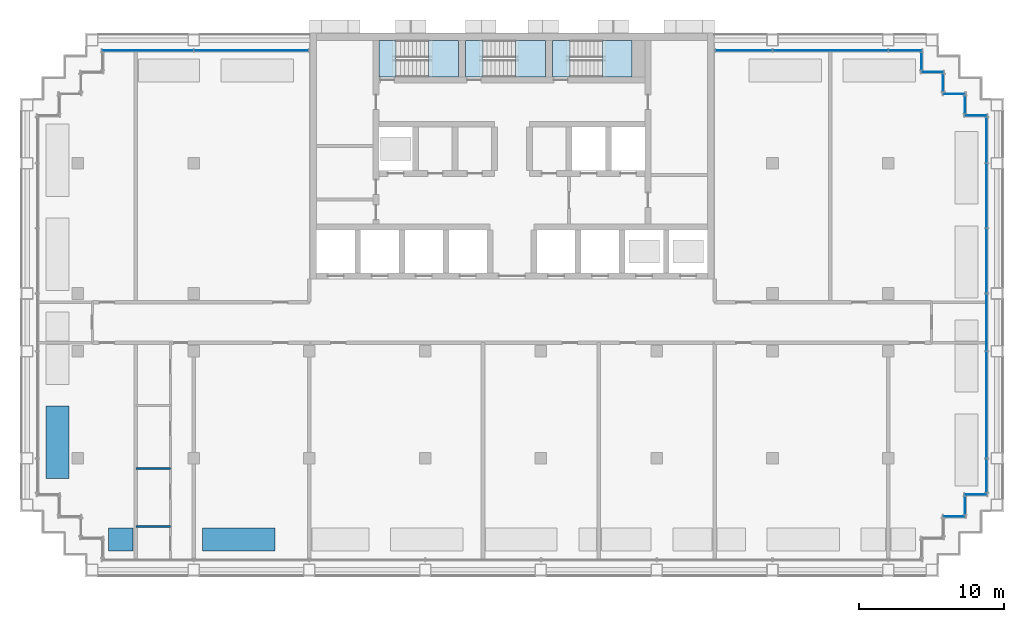
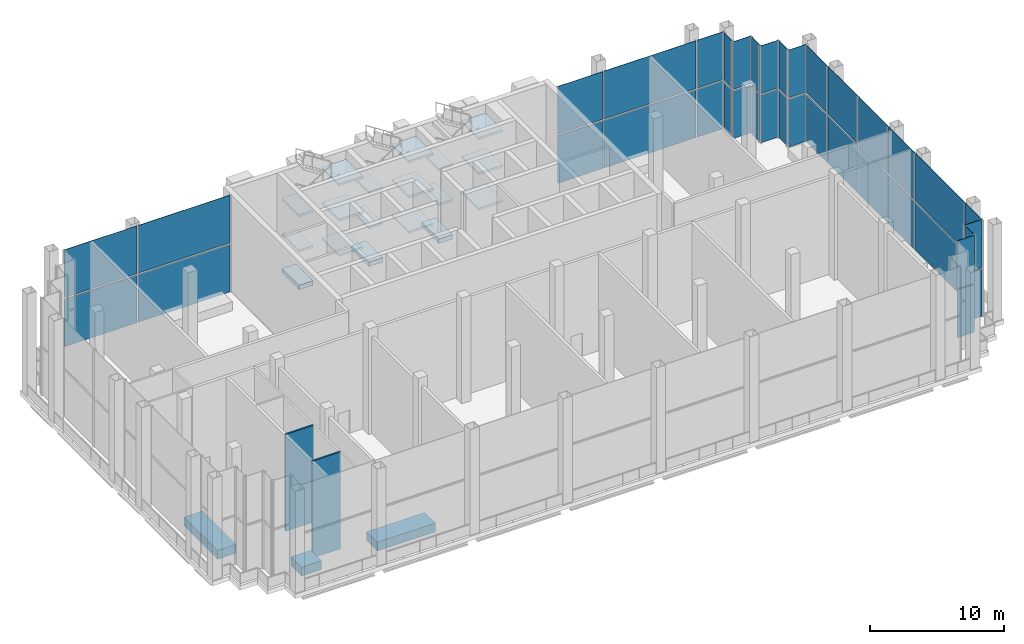
# One storey, part 7 of 16: 40 plates, 18 slabs, 5 walls, 15 elements without a shape of their own.
"""IFC4 building model written with IfcOpenShell, lengths in metres."""

from ifc_helpers import new_model, si_unit, direction, frame, frame_2d, origin, origin_2d, place, context, subcontext, project, spatial, polyline, rectangle, outline, extrude, material, layer, layer_set, type_object, element, aggregate, save


model = new_model("IFC4")

# Units and contexts
model_context = context("Model", 3, precision=1e-05, world=origin(), true_north=direction((0.0, 1.0)))
body_context = subcontext(model_context, "Body", "Model", "MODEL_VIEW")
ifc_project = project(units=[si_unit("LENGTHUNIT", "METRE"), si_unit("AREAUNIT", "SQUARE_METRE"), si_unit("VOLUMEUNIT", "CUBIC_METRE"), si_unit("PLANEANGLEUNIT", "RADIAN"), si_unit("MASSUNIT", "GRAM", prefix="KILO")], contexts=[model_context])

# Site, building, storey
site_placement = place(None, origin())
site = spatial("IfcSite", under=ifc_project, at=site_placement, CompositionType="ELEMENT")
building_placement = place(site_placement, origin())
building = spatial("IfcBuilding", under=site, at=building_placement, Name="Vidyagriha Tower", CompositionType="ELEMENT")
storey_placement = place(building_placement, frame((0.0, 0.0, 151.800048828125)))
storey = spatial("IfcBuildingStorey", under=building, at=storey_placement, Name="L40", CompositionType="ELEMENT", Elevation=151.800048828125)

# Slabs
ifc_material_1 = material(Name="Concrete C40/50", Category="concrete")
ifc_layer_1 = layer(ifc_material_1, 0.39990234375)
ifc_layer_set_1 = layer_set([ifc_layer_1], Name="Concrete C40/50")
slab_type_1 = type_object("IfcSlabType", Name="Exit stair floor landing 400 mm", PredefinedType="LANDING", material=ifc_layer_set_1)
slab_1_placement = place(storey_placement, frame((0.0, 0.0, -0.400146484375)))
element("IfcSlab", 1, at=slab_1_placement, inside=storey, type_object=slab_type_1, Name="ST1 floor landing L40", PredefinedType="LANDING", context=body_context, shape_type="SweptSolid", body=[
    extrude(outline(polyline([(-9.199951171875, 16.949951171875), (-8.0, 16.949951171875), (-8.0, 19.5), (-9.199951171875, 19.5), (-9.199951171875, 16.949951171875)])), origin(), (0.0, 0.0, 1.0), 0.400146484375),
])
slab_2_placement = place(storey_placement, frame((0.0, 0.0, -0.400146484375)))
element("IfcSlab", 2, at=slab_2_placement, inside=storey, type_object=slab_type_1, Name="ST2 floor landing L40", PredefinedType="LANDING", context=body_context, shape_type="SweptSolid", body=[
    extrude(outline(polyline([(-3.199951171875, 16.949951171875), (-2.0, 16.949951171875), (-2.0, 19.5), (-3.199951171875, 19.5), (-3.199951171875, 16.949951171875)])), origin(), (0.0, 0.0, 1.0), 0.400146484375),
])
slab_3_placement = place(storey_placement, frame((0.0, 0.0, -0.400146484375)))
element("IfcSlab", 3, at=slab_3_placement, inside=storey, type_object=slab_type_1, Name="ST3 floor landing L40", PredefinedType="LANDING", context=body_context, shape_type="SweptSolid", body=[
    extrude(outline(polyline([(2.800048828125, 16.949951171875), (4.0, 16.949951171875), (4.0, 19.5), (2.800048828125, 19.5), (2.800048828125, 16.949951171875)])), origin(), (0.0, 0.0, 1.0), 0.400146484375),
])

# Stair, slabs
ifc_material_2 = material(Name="Concrete C40/50", Category="concrete")
stair_type = type_object("IfcStairType", Name="Exit stair, half-turn, precast flights", PredefinedType="HALF_TURN_STAIR", material=ifc_material_2)
stair_1_placement = place(storey_placement, origin())
stair_1 = element("IfcStair", 4, at=stair_1_placement, inside=storey, type_object=stair_type, Name="L40 Exit Stair ST1", PredefinedType="HALF_TURN_STAIR")
ifc_material_3 = material(Name="Concrete C40/50", Category="concrete")
ifc_layer_2 = layer(ifc_material_3, 0.199951171875)
ifc_layer_set_2 = layer_set([ifc_layer_2], Name="Concrete C40/50")
slab_type_2 = type_object("IfcSlabType", Name="Exit stair landing 200 mm", PredefinedType="LANDING", material=ifc_layer_set_2)
slab_4_placement = place(storey_placement, frame((0.0, 0.0, 1.39990234375)))
slab_4 = element("IfcSlab", 5, at=slab_4_placement, type_object=slab_type_2, Name="ST1 landing 1", PredefinedType="LANDING", context=body_context, shape_type="SweptSolid", body=[
    extrude(outline(polyline([(-5.760009765625, 16.949951171875), (-3.699951171875, 16.949951171875), (-3.699951171875, 19.5), (-5.760009765625, 19.5), (-5.760009765625, 16.949951171875)])), origin(), (0.0, 0.0, 1.0), 0.199951171875),
])
slab_5_placement = place(storey_placement, frame((0.0, 0.0, 3.0)))
slab_5 = element("IfcSlab", 6, at=slab_5_placement, type_object=slab_type_2, Name="ST1 landing 2", PredefinedType="LANDING", context=body_context, shape_type="SweptSolid", body=[
    extrude(outline(polyline([(-9.199951171875, 16.949951171875), (-8.0, 16.949951171875), (-8.0, 19.5), (-9.199951171875, 19.5), (-9.199951171875, 16.949951171875)])), origin(), (0.0, 0.0, 1.0), 0.199951171875),
])
slab_6_placement = place(storey_placement, frame((0.0, 0.0, 4.599853515625)))
slab_6 = element("IfcSlab", 7, at=slab_6_placement, type_object=slab_type_2, Name="ST1 landing 3", PredefinedType="LANDING", context=body_context, shape_type="SweptSolid", body=[
    extrude(outline(polyline([(-5.760009765625, 16.949951171875), (-3.699951171875, 16.949951171875), (-3.699951171875, 19.5), (-5.760009765625, 19.5), (-5.760009765625, 16.949951171875)])), origin(), (0.0, 0.0, 1.0), 0.2001953125),
])
slab_7_placement = place(storey_placement, frame((0.0, 0.0, 6.199951171875)))
slab_7 = element("IfcSlab", 8, at=slab_7_placement, type_object=slab_type_2, Name="ST1 landing 4", PredefinedType="LANDING", context=body_context, shape_type="SweptSolid", body=[
    extrude(outline(polyline([(-9.199951171875, 16.949951171875), (-8.0, 16.949951171875), (-8.0, 19.5), (-9.199951171875, 19.5), (-9.199951171875, 16.949951171875)])), origin(), (0.0, 0.0, 1.0), 0.199951171875),
])
slab_8_placement = place(storey_placement, frame((0.0, 0.0, 7.800048828125)))
slab_8 = element("IfcSlab", 9, at=slab_8_placement, type_object=slab_type_2, Name="ST1 landing 5", PredefinedType="LANDING", context=body_context, shape_type="SweptSolid", body=[
    extrude(outline(polyline([(-5.760009765625, 16.949951171875), (-3.699951171875, 16.949951171875), (-3.699951171875, 19.5), (-5.760009765625, 19.5), (-5.760009765625, 16.949951171875)])), origin(), (0.0, 0.0, 1.0), 0.199951171875),
])
aggregate(stair_1, [slab_4, slab_5, slab_6, slab_7, slab_8])

stair_2_placement = place(storey_placement, origin())
stair_2 = element("IfcStair", 10, at=stair_2_placement, inside=storey, type_object=stair_type, Name="L40 Exit Stair ST2", PredefinedType="HALF_TURN_STAIR")
slab_9_placement = place(storey_placement, frame((0.0, 0.0, 1.39990234375)))
slab_9 = element("IfcSlab", 11, at=slab_9_placement, type_object=slab_type_2, Name="ST2 landing 1", PredefinedType="LANDING", context=body_context, shape_type="SweptSolid", body=[
    extrude(outline(polyline([(0.239990234375, 16.949951171875), (2.300048828125, 16.949951171875), (2.300048828125, 19.5), (0.239990234375, 19.5), (0.239990234375, 16.949951171875)])), origin(), (0.0, 0.0, 1.0), 0.199951171875),
])
slab_10_placement = place(storey_placement, frame((0.0, 0.0, 3.0)))
slab_10 = element("IfcSlab", 12, at=slab_10_placement, type_object=slab_type_2, Name="ST2 landing 2", PredefinedType="LANDING", context=body_context, shape_type="SweptSolid", body=[
    extrude(outline(polyline([(-3.199951171875, 16.949951171875), (-2.0, 16.949951171875), (-2.0, 19.5), (-3.199951171875, 19.5), (-3.199951171875, 16.949951171875)])), origin(), (0.0, 0.0, 1.0), 0.199951171875),
])
slab_11_placement = place(storey_placement, frame((0.0, 0.0, 4.599853515625)))
slab_11 = element("IfcSlab", 13, at=slab_11_placement, type_object=slab_type_2, Name="ST2 landing 3", PredefinedType="LANDING", context=body_context, shape_type="SweptSolid", body=[
    extrude(outline(polyline([(0.239990234375, 16.949951171875), (2.300048828125, 16.949951171875), (2.300048828125, 19.5), (0.239990234375, 19.5), (0.239990234375, 16.949951171875)])), origin(), (0.0, 0.0, 1.0), 0.2001953125),
])
slab_12_placement = place(storey_placement, frame((0.0, 0.0, 6.199951171875)))
slab_12 = element("IfcSlab", 14, at=slab_12_placement, type_object=slab_type_2, Name="ST2 landing 4", PredefinedType="LANDING", context=body_context, shape_type="SweptSolid", body=[
    extrude(outline(polyline([(-3.199951171875, 16.949951171875), (-2.0, 16.949951171875), (-2.0, 19.5), (-3.199951171875, 19.5), (-3.199951171875, 16.949951171875)])), origin(), (0.0, 0.0, 1.0), 0.199951171875),
])
slab_13_placement = place(storey_placement, frame((0.0, 0.0, 7.800048828125)))
slab_13 = element("IfcSlab", 15, at=slab_13_placement, type_object=slab_type_2, Name="ST2 landing 5", PredefinedType="LANDING", context=body_context, shape_type="SweptSolid", body=[
    extrude(outline(polyline([(0.239990234375, 16.949951171875), (2.300048828125, 16.949951171875), (2.300048828125, 19.5), (0.239990234375, 19.5), (0.239990234375, 16.949951171875)])), origin(), (0.0, 0.0, 1.0), 0.199951171875),
])
aggregate(stair_2, [slab_9, slab_10, slab_11, slab_12, slab_13])

stair_3_placement = place(storey_placement, origin())
stair_3 = element("IfcStair", 16, at=stair_3_placement, inside=storey, type_object=stair_type, Name="L40 Exit Stair ST3", PredefinedType="HALF_TURN_STAIR")
slab_14_placement = place(storey_placement, frame((0.0, 0.0, 1.39990234375)))
slab_14 = element("IfcSlab", 17, at=slab_14_placement, type_object=slab_type_2, Name="ST3 landing 1", PredefinedType="LANDING", context=body_context, shape_type="SweptSolid", body=[
    extrude(outline(polyline([(6.239990234375, 16.949951171875), (8.300048828125, 16.949951171875), (8.300048828125, 19.5), (6.239990234375, 19.5), (6.239990234375, 16.949951171875)])), origin(), (0.0, 0.0, 1.0), 0.199951171875),
])
slab_15_placement = place(storey_placement, frame((0.0, 0.0, 3.0)))
slab_15 = element("IfcSlab", 18, at=slab_15_placement, type_object=slab_type_2, Name="ST3 landing 2", PredefinedType="LANDING", context=body_context, shape_type="SweptSolid", body=[
    extrude(outline(polyline([(2.800048828125, 16.949951171875), (4.0, 16.949951171875), (4.0, 19.5), (2.800048828125, 19.5), (2.800048828125, 16.949951171875)])), origin(), (0.0, 0.0, 1.0), 0.199951171875),
])
slab_16_placement = place(storey_placement, frame((0.0, 0.0, 4.599853515625)))
slab_16 = element("IfcSlab", 19, at=slab_16_placement, type_object=slab_type_2, Name="ST3 landing 3", PredefinedType="LANDING", context=body_context, shape_type="SweptSolid", body=[
    extrude(outline(polyline([(6.239990234375, 16.949951171875), (8.300048828125, 16.949951171875), (8.300048828125, 19.5), (6.239990234375, 19.5), (6.239990234375, 16.949951171875)])), origin(), (0.0, 0.0, 1.0), 0.2001953125),
])
slab_17_placement = place(storey_placement, frame((0.0, 0.0, 6.199951171875)))
slab_17 = element("IfcSlab", 20, at=slab_17_placement, type_object=slab_type_2, Name="ST3 landing 4", PredefinedType="LANDING", context=body_context, shape_type="SweptSolid", body=[
    extrude(outline(polyline([(2.800048828125, 16.949951171875), (4.0, 16.949951171875), (4.0, 19.5), (2.800048828125, 19.5), (2.800048828125, 16.949951171875)])), origin(), (0.0, 0.0, 1.0), 0.199951171875),
])
slab_18_placement = place(storey_placement, frame((0.0, 0.0, 7.800048828125)))
slab_18 = element("IfcSlab", 21, at=slab_18_placement, type_object=slab_type_2, Name="ST3 landing 5", PredefinedType="LANDING", context=body_context, shape_type="SweptSolid", body=[
    extrude(outline(polyline([(6.239990234375, 16.949951171875), (8.300048828125, 16.949951171875), (8.300048828125, 19.5), (6.239990234375, 19.5), (6.239990234375, 16.949951171875)])), origin(), (0.0, 0.0, 1.0), 0.199951171875),
])
aggregate(stair_3, [slab_14, slab_15, slab_16, slab_17, slab_18])

# Curtain wall, plates
ifc_material_4 = material(Name="Aluminium and glass curtain wall", Category="aluminium")
curtain_wall_type = type_object("IfcCurtainWallType", Name="Winter garden glazing wall", PredefinedType="USERDEFINED", material=ifc_material_4)
curtain_wall_1_placement = place(storey_placement, origin())
curtain_wall_1 = element("IfcCurtainWall", 22, at=curtain_wall_1_placement, inside=storey, type_object=curtain_wall_type, Name="CW3 winter garden glazing", ObjectType="STICK GLAZING", PredefinedType="USERDEFINED")
ifc_material_5 = material(Name="Laminated green-tint solar-control glass", Category="glass")
ifc_layer_3 = layer(ifc_material_5, 0.031982421875)
ifc_layer_set_3 = layer_set([ifc_layer_3], Name="Laminated green-tint solar-control glass")
plate_type = type_object("IfcPlateType", Name="Green-tint winter garden glass panel", PredefinedType="CURTAIN_PANEL", material=ifc_layer_set_3)
plate_1_placement = place(storey_placement, frame((32.050048828125, 14.300048828125, 0.0), z_axis=(0.0, 0.0, 1.0), x_axis=(-1.0, 0.0, 0.0)))
plate_1 = element("IfcPlate", 23, at=plate_1_placement, type_object=plate_type, Name="CW3 panel 1.1", PredefinedType="CURTAIN_PANEL", context=body_context, shape_type="SweptSolid", body=[
    extrude(rectangle(XDim=1.5, YDim=0.031982421875, at=origin_2d()), origin(), (0.0, 0.0, 1.0), 4.340087890625),
])
plate_2_placement = place(storey_placement, frame((32.050048828125, 14.300048828125, 4.4599609375), z_axis=(0.0, 0.0, 1.0), x_axis=(-1.0, 0.0, 0.0)))
plate_2 = element("IfcPlate", 24, at=plate_2_placement, type_object=plate_type, Name="CW3 panel 1.2", PredefinedType="CURTAIN_PANEL", context=body_context, shape_type="SweptSolid", body=[
    extrude(rectangle(XDim=1.5, YDim=0.031982421875, at=origin_2d()), origin(), (0.0, 0.0, 1.0), 4.340087890625),
])
aggregate(curtain_wall_1, [plate_1, plate_2])

curtain_wall_2_placement = place(storey_placement, origin())
curtain_wall_2 = element("IfcCurtainWall", 25, at=curtain_wall_2_placement, inside=storey, type_object=curtain_wall_type, Name="CW3 winter garden glazing", ObjectType="STICK GLAZING", PredefinedType="USERDEFINED")
plate_3_placement = place(storey_placement, frame((31.300048828125, 15.050048828125, 0.0), z_axis=(0.0, 0.0, 1.0), x_axis=(0.0, 1.0, 0.0)))
plate_3 = element("IfcPlate", 26, at=plate_3_placement, type_object=plate_type, Name="CW3 panel 1.1", PredefinedType="CURTAIN_PANEL", context=body_context, shape_type="SweptSolid", body=[
    extrude(rectangle(XDim=1.179931640625, YDim=0.031982421875, at=origin_2d()), origin(), (0.0, 0.0, 1.0), 4.340087890625),
])
plate_4_placement = place(storey_placement, frame((31.300048828125, 15.050048828125, 4.4599609375), z_axis=(0.0, 0.0, 1.0), x_axis=(0.0, 1.0, 0.0)))
plate_4 = element("IfcPlate", 27, at=plate_4_placement, type_object=plate_type, Name="CW3 panel 1.2", PredefinedType="CURTAIN_PANEL", context=body_context, shape_type="SweptSolid", body=[
    extrude(rectangle(XDim=1.179931640625, YDim=0.031982421875, at=origin_2d()), origin(), (0.0, 0.0, 1.0), 4.340087890625),
])
aggregate(curtain_wall_2, [plate_3, plate_4])

curtain_wall_3_placement = place(storey_placement, origin())
curtain_wall_3 = element("IfcCurtainWall", 28, at=curtain_wall_3_placement, inside=storey, type_object=curtain_wall_type, Name="CW3 winter garden glazing", ObjectType="STICK GLAZING", PredefinedType="USERDEFINED")
plate_5_placement = place(storey_placement, frame((30.550048828125, 15.800048828125, 0.0), z_axis=(0.0, 0.0, 1.0), x_axis=(-1.0, 0.0, 0.0)))
plate_5 = element("IfcPlate", 29, at=plate_5_placement, type_object=plate_type, Name="CW3 panel 1.1", PredefinedType="CURTAIN_PANEL", context=body_context, shape_type="SweptSolid", body=[
    extrude(rectangle(XDim=1.5, YDim=0.031982421875, at=origin_2d()), origin(), (0.0, 0.0, 1.0), 4.340087890625),
])
plate_6_placement = place(storey_placement, frame((30.550048828125, 15.800048828125, 4.4599609375), z_axis=(0.0, 0.0, 1.0), x_axis=(-1.0, 0.0, 0.0)))
plate_6 = element("IfcPlate", 30, at=plate_6_placement, type_object=plate_type, Name="CW3 panel 1.2", PredefinedType="CURTAIN_PANEL", context=body_context, shape_type="SweptSolid", body=[
    extrude(rectangle(XDim=1.5, YDim=0.031982421875, at=origin_2d()), origin(), (0.0, 0.0, 1.0), 4.340087890625),
])
aggregate(curtain_wall_3, [plate_5, plate_6])

curtain_wall_4_placement = place(storey_placement, origin())
curtain_wall_4 = element("IfcCurtainWall", 31, at=curtain_wall_4_placement, inside=storey, type_object=curtain_wall_type, Name="CW3 winter garden glazing", ObjectType="STICK GLAZING", PredefinedType="USERDEFINED")
plate_7_placement = place(storey_placement, frame((29.800048828125, 16.550048828125, 0.0), z_axis=(0.0, 0.0, 1.0), x_axis=(0.0, 1.0, 0.0)))
plate_7 = element("IfcPlate", 32, at=plate_7_placement, type_object=plate_type, Name="CW3 panel 1.1", PredefinedType="CURTAIN_PANEL", context=body_context, shape_type="SweptSolid", body=[
    extrude(rectangle(XDim=1.179931640625, YDim=0.031982421875, at=origin_2d()), origin(), (0.0, 0.0, 1.0), 4.340087890625),
])
plate_8_placement = place(storey_placement, frame((29.800048828125, 16.550048828125, 4.4599609375), z_axis=(0.0, 0.0, 1.0), x_axis=(0.0, 1.0, 0.0)))
plate_8 = element("IfcPlate", 33, at=plate_8_placement, type_object=plate_type, Name="CW3 panel 1.2", PredefinedType="CURTAIN_PANEL", context=body_context, shape_type="SweptSolid", body=[
    extrude(rectangle(XDim=1.179931640625, YDim=0.031982421875, at=origin_2d()), origin(), (0.0, 0.0, 1.0), 4.340087890625),
])
aggregate(curtain_wall_4, [plate_7, plate_8])

curtain_wall_5_placement = place(storey_placement, origin())
curtain_wall_5 = element("IfcCurtainWall", 34, at=curtain_wall_5_placement, inside=storey, type_object=curtain_wall_type, Name="CW3 winter garden glazing", ObjectType="STICK GLAZING", PredefinedType="USERDEFINED")
plate_9_placement = place(storey_placement, frame((29.050048828125, 17.300048828125, 0.0), z_axis=(0.0, 0.0, 1.0), x_axis=(-1.0, 0.0, 0.0)))
plate_9 = element("IfcPlate", 35, at=plate_9_placement, type_object=plate_type, Name="CW3 panel 1.1", PredefinedType="CURTAIN_PANEL", context=body_context, shape_type="SweptSolid", body=[
    extrude(rectangle(XDim=1.5, YDim=0.031982421875, at=origin_2d()), origin(), (0.0, 0.0, 1.0), 4.340087890625),
])
plate_10_placement = place(storey_placement, frame((29.050048828125, 17.300048828125, 4.4599609375), z_axis=(0.0, 0.0, 1.0), x_axis=(-1.0, 0.0, 0.0)))
plate_10 = element("IfcPlate", 36, at=plate_10_placement, type_object=plate_type, Name="CW3 panel 1.2", PredefinedType="CURTAIN_PANEL", context=body_context, shape_type="SweptSolid", body=[
    extrude(rectangle(XDim=1.5, YDim=0.031982421875, at=origin_2d()), origin(), (0.0, 0.0, 1.0), 4.340087890625),
])
aggregate(curtain_wall_5, [plate_9, plate_10])

curtain_wall_6_placement = place(storey_placement, origin())
curtain_wall_6 = element("IfcCurtainWall", 37, at=curtain_wall_6_placement, inside=storey, type_object=curtain_wall_type, Name="CW3 winter garden glazing", ObjectType="STICK GLAZING", PredefinedType="USERDEFINED")
plate_11_placement = place(storey_placement, frame((28.300048828125, 18.050048828125, 0.0), z_axis=(0.0, 0.0, 1.0), x_axis=(0.0, 1.0, 0.0)))
plate_11 = element("IfcPlate", 38, at=plate_11_placement, type_object=plate_type, Name="CW3 panel 1.1", PredefinedType="CURTAIN_PANEL", context=body_context, shape_type="SweptSolid", body=[
    extrude(rectangle(XDim=1.179931640625, YDim=0.031982421875, at=origin_2d()), origin(), (0.0, 0.0, 1.0), 4.340087890625),
])
plate_12_placement = place(storey_placement, frame((28.300048828125, 18.050048828125, 4.4599609375), z_axis=(0.0, 0.0, 1.0), x_axis=(0.0, 1.0, 0.0)))
plate_12 = element("IfcPlate", 39, at=plate_12_placement, type_object=plate_type, Name="CW3 panel 1.2", PredefinedType="CURTAIN_PANEL", context=body_context, shape_type="SweptSolid", body=[
    extrude(rectangle(XDim=1.179931640625, YDim=0.031982421875, at=origin_2d()), origin(), (0.0, 0.0, 1.0), 4.340087890625),
])
aggregate(curtain_wall_6, [plate_11, plate_12])

curtain_wall_7_placement = place(storey_placement, origin())
curtain_wall_7 = element("IfcCurtainWall", 40, at=curtain_wall_7_placement, inside=storey, type_object=curtain_wall_type, Name="CW3 winter garden glazing", ObjectType="STICK GLAZING", PredefinedType="USERDEFINED")
plate_13_placement = place(storey_placement, frame((27.169921875, 18.800048828125, 0.0), z_axis=(0.0, 0.0, 1.0), x_axis=(-1.0, 0.0, 0.0)))
plate_13 = element("IfcPlate", 41, at=plate_13_placement, type_object=plate_type, Name="CW3 panel 1.1", PredefinedType="CURTAIN_PANEL", context=body_context, shape_type="SweptSolid", body=[
    extrude(rectangle(XDim=2.260009765625, YDim=0.031982421875, at=origin_2d()), origin(), (0.0, 0.0, 1.0), 4.340087890625),
])
plate_14_placement = place(storey_placement, frame((27.169921875, 18.800048828125, 4.4599609375), z_axis=(0.0, 0.0, 1.0), x_axis=(-1.0, 0.0, 0.0)))
plate_14 = element("IfcPlate", 42, at=plate_14_placement, type_object=plate_type, Name="CW3 panel 1.2", PredefinedType="CURTAIN_PANEL", context=body_context, shape_type="SweptSolid", body=[
    extrude(rectangle(XDim=2.260009765625, YDim=0.031982421875, at=origin_2d()), origin(), (0.0, 0.0, 1.0), 4.340087890625),
])
plate_15_placement = place(storey_placement, frame((22.0, 18.800048828125, 0.0), z_axis=(0.0, 0.0, 1.0), x_axis=(-1.0, 0.0, 0.0)))
plate_15 = element("IfcPlate", 43, at=plate_15_placement, type_object=plate_type, Name="CW3 panel 2.1", PredefinedType="CURTAIN_PANEL", context=body_context, shape_type="SweptSolid", body=[
    extrude(rectangle(XDim=7.919921875, YDim=0.031982421875, at=origin_2d()), origin(), (0.0, 0.0, 1.0), 4.340087890625),
])
plate_16_placement = place(storey_placement, frame((22.0, 18.800048828125, 4.4599609375), z_axis=(0.0, 0.0, 1.0), x_axis=(-1.0, 0.0, 0.0)))
plate_16 = element("IfcPlate", 44, at=plate_16_placement, type_object=plate_type, Name="CW3 panel 2.2", PredefinedType="CURTAIN_PANEL", context=body_context, shape_type="SweptSolid", body=[
    extrude(rectangle(XDim=7.919921875, YDim=0.031982421875, at=origin_2d()), origin(), (0.0, 0.0, 1.0), 4.340087890625),
])
plate_17_placement = place(storey_placement, frame((16.02001953125, 18.800048828125, 0.0), z_axis=(0.0, 0.0, 1.0), x_axis=(-1.0, 0.0, 0.0)))
plate_17 = element("IfcPlate", 45, at=plate_17_placement, type_object=plate_type, Name="CW3 panel 3.1", PredefinedType="CURTAIN_PANEL", context=body_context, shape_type="SweptSolid", body=[
    extrude(rectangle(XDim=3.8798828125, YDim=0.031982421875, at=origin_2d()), origin(), (0.0, 0.0, 1.0), 4.340087890625),
])
plate_18_placement = place(storey_placement, frame((16.02001953125, 18.800048828125, 4.4599609375), z_axis=(0.0, 0.0, 1.0), x_axis=(-1.0, 0.0, 0.0)))
plate_18 = element("IfcPlate", 46, at=plate_18_placement, type_object=plate_type, Name="CW3 panel 3.2", PredefinedType="CURTAIN_PANEL", context=body_context, shape_type="SweptSolid", body=[
    extrude(rectangle(XDim=3.8798828125, YDim=0.031982421875, at=origin_2d()), origin(), (0.0, 0.0, 1.0), 4.340087890625),
])
aggregate(curtain_wall_7, [plate_13, plate_14, plate_15, plate_16, plate_17, plate_18])

curtain_wall_8_placement = place(storey_placement, origin())
curtain_wall_8 = element("IfcCurtainWall", 47, at=curtain_wall_8_placement, inside=storey, type_object=curtain_wall_type, Name="CW3 winter garden glazing", ObjectType="STICK GLAZING", PredefinedType="USERDEFINED")
plate_19_placement = place(storey_placement, frame((-18.02001953125, 18.800048828125, 0.0), z_axis=(0.0, 0.0, 1.0), x_axis=(-1.0, 0.0, 0.0)))
plate_19 = element("IfcPlate", 48, at=plate_19_placement, type_object=plate_type, Name="CW3 panel 1.1", PredefinedType="CURTAIN_PANEL", context=body_context, shape_type="SweptSolid", body=[
    extrude(rectangle(XDim=7.8798828125, YDim=0.031982421875, at=origin_2d()), origin(), (0.0, 0.0, 1.0), 4.340087890625),
])
plate_20_placement = place(storey_placement, frame((-18.02001953125, 18.800048828125, 4.4599609375), z_axis=(0.0, 0.0, 1.0), x_axis=(-1.0, 0.0, 0.0)))
plate_20 = element("IfcPlate", 49, at=plate_20_placement, type_object=plate_type, Name="CW3 panel 1.2", PredefinedType="CURTAIN_PANEL", context=body_context, shape_type="SweptSolid", body=[
    extrude(rectangle(XDim=7.8798828125, YDim=0.031982421875, at=origin_2d()), origin(), (0.0, 0.0, 1.0), 4.340087890625),
])
plate_21_placement = place(storey_placement, frame((-25.169921875, 18.800048828125, 0.0), z_axis=(0.0, 0.0, 1.0), x_axis=(-1.0, 0.0, 0.0)))
plate_21 = element("IfcPlate", 50, at=plate_21_placement, type_object=plate_type, Name="CW3 panel 2.1", PredefinedType="CURTAIN_PANEL", context=body_context, shape_type="SweptSolid", body=[
    extrude(rectangle(XDim=6.260009765625, YDim=0.031982421875, at=origin_2d()), origin(), (0.0, 0.0, 1.0), 4.340087890625),
])
plate_22_placement = place(storey_placement, frame((-25.169921875, 18.800048828125, 4.4599609375), z_axis=(0.0, 0.0, 1.0), x_axis=(-1.0, 0.0, 0.0)))
plate_22 = element("IfcPlate", 51, at=plate_22_placement, type_object=plate_type, Name="CW3 panel 2.2", PredefinedType="CURTAIN_PANEL", context=body_context, shape_type="SweptSolid", body=[
    extrude(rectangle(XDim=6.260009765625, YDim=0.031982421875, at=origin_2d()), origin(), (0.0, 0.0, 1.0), 4.340087890625),
])
aggregate(curtain_wall_8, [plate_19, plate_20, plate_21, plate_22])

curtain_wall_9_placement = place(storey_placement, origin())
curtain_wall_9 = element("IfcCurtainWall", 52, at=curtain_wall_9_placement, inside=storey, type_object=curtain_wall_type, Name="CW3 winter garden glazing", ObjectType="STICK GLAZING", PredefinedType="USERDEFINED")
plate_23_placement = place(storey_placement, frame((30.550048828125, -13.39990234375, 0.0)))
plate_23 = element("IfcPlate", 53, at=plate_23_placement, type_object=plate_type, Name="CW3 panel 1.1", PredefinedType="CURTAIN_PANEL", context=body_context, shape_type="SweptSolid", body=[
    extrude(rectangle(XDim=1.5, YDim=0.031982421875, at=origin_2d()), origin(), (0.0, 0.0, 1.0), 4.340087890625),
])
plate_24_placement = place(storey_placement, frame((30.550048828125, -13.39990234375, 4.4599609375)))
plate_24 = element("IfcPlate", 54, at=plate_24_placement, type_object=plate_type, Name="CW3 panel 1.2", PredefinedType="CURTAIN_PANEL", context=body_context, shape_type="SweptSolid", body=[
    extrude(rectangle(XDim=1.5, YDim=0.031982421875, at=origin_2d()), origin(), (0.0, 0.0, 1.0), 4.340087890625),
])
aggregate(curtain_wall_9, [plate_23, plate_24])

curtain_wall_10_placement = place(storey_placement, origin())
curtain_wall_10 = element("IfcCurtainWall", 55, at=curtain_wall_10_placement, inside=storey, type_object=curtain_wall_type, Name="CW3 winter garden glazing", ObjectType="STICK GLAZING", PredefinedType="USERDEFINED")
plate_25_placement = place(storey_placement, frame((31.300048828125, -12.64990234375, 0.0), z_axis=(0.0, 0.0, 1.0), x_axis=(0.0, 1.0, 0.0)))
plate_25 = element("IfcPlate", 56, at=plate_25_placement, type_object=plate_type, Name="CW3 panel 1.1", PredefinedType="CURTAIN_PANEL", context=body_context, shape_type="SweptSolid", body=[
    extrude(rectangle(XDim=1.179931640625, YDim=0.031982421875, at=origin_2d()), origin(), (0.0, 0.0, 1.0), 4.340087890625),
])
plate_26_placement = place(storey_placement, frame((31.300048828125, -12.64990234375, 4.4599609375), z_axis=(0.0, 0.0, 1.0), x_axis=(0.0, 1.0, 0.0)))
plate_26 = element("IfcPlate", 57, at=plate_26_placement, type_object=plate_type, Name="CW3 panel 1.2", PredefinedType="CURTAIN_PANEL", context=body_context, shape_type="SweptSolid", body=[
    extrude(rectangle(XDim=1.179931640625, YDim=0.031982421875, at=origin_2d()), origin(), (0.0, 0.0, 1.0), 4.340087890625),
])
aggregate(curtain_wall_10, [plate_25, plate_26])

curtain_wall_11_placement = place(storey_placement, origin())
curtain_wall_11 = element("IfcCurtainWall", 58, at=curtain_wall_11_placement, inside=storey, type_object=curtain_wall_type, Name="CW3 winter garden glazing", ObjectType="STICK GLAZING", PredefinedType="USERDEFINED")
plate_27_placement = place(storey_placement, frame((32.050048828125, -11.89990234375, 0.0)))
plate_27 = element("IfcPlate", 59, at=plate_27_placement, type_object=plate_type, Name="CW3 panel 1.1", PredefinedType="CURTAIN_PANEL", context=body_context, shape_type="SweptSolid", body=[
    extrude(rectangle(XDim=1.5, YDim=0.031982421875, at=origin_2d()), origin(), (0.0, 0.0, 1.0), 4.340087890625),
])
plate_28_placement = place(storey_placement, frame((32.050048828125, -11.89990234375, 4.4599609375)))
plate_28 = element("IfcPlate", 60, at=plate_28_placement, type_object=plate_type, Name="CW3 panel 1.2", PredefinedType="CURTAIN_PANEL", context=body_context, shape_type="SweptSolid", body=[
    extrude(rectangle(XDim=1.5, YDim=0.031982421875, at=origin_2d()), origin(), (0.0, 0.0, 1.0), 4.340087890625),
])
aggregate(curtain_wall_11, [plate_27, plate_28])

curtain_wall_12_placement = place(storey_placement, origin())
curtain_wall_12 = element("IfcCurtainWall", 61, at=curtain_wall_12_placement, inside=storey, type_object=curtain_wall_type, Name="CW3 winter garden glazing", ObjectType="STICK GLAZING", PredefinedType="USERDEFINED")
plate_29_placement = place(storey_placement, frame((32.800048828125, -10.590087890625, 0.0), z_axis=(0.0, 0.0, 1.0), x_axis=(0.0, 1.0, 0.0)))
plate_29 = element("IfcPlate", 62, at=plate_29_placement, type_object=plate_type, Name="CW3 panel 1.1", PredefinedType="CURTAIN_PANEL", context=body_context, shape_type="SweptSolid", body=[
    extrude(rectangle(XDim=2.300048828125, YDim=0.031982421875, at=origin_2d()), origin(), (0.0, 0.0, 1.0), 4.340087890625),
])
plate_30_placement = place(storey_placement, frame((32.800048828125, -10.590087890625, 4.4599609375), z_axis=(0.0, 0.0, 1.0), x_axis=(0.0, 1.0, 0.0)))
plate_30 = element("IfcPlate", 63, at=plate_30_placement, type_object=plate_type, Name="CW3 panel 1.2", PredefinedType="CURTAIN_PANEL", context=body_context, shape_type="SweptSolid", body=[
    extrude(rectangle(XDim=2.300048828125, YDim=0.031982421875, at=origin_2d()), origin(), (0.0, 0.0, 1.0), 4.340087890625),
])
plate_31_placement = place(storey_placement, frame((32.800048828125, -5.699951171875, 0.0), z_axis=(0.0, 0.0, 1.0), x_axis=(0.0, 1.0, 0.0)))
plate_31 = element("IfcPlate", 64, at=plate_31_placement, type_object=plate_type, Name="CW3 panel 2.1", PredefinedType="CURTAIN_PANEL", context=body_context, shape_type="SweptSolid", body=[
    extrude(rectangle(XDim=7.320068359375, YDim=0.031982421875, at=origin_2d()), origin(), (0.0, 0.0, 1.0), 4.340087890625),
])
plate_32_placement = place(storey_placement, frame((32.800048828125, -5.699951171875, 4.4599609375), z_axis=(0.0, 0.0, 1.0), x_axis=(0.0, 1.0, 0.0)))
plate_32 = element("IfcPlate", 65, at=plate_32_placement, type_object=plate_type, Name="CW3 panel 2.2", PredefinedType="CURTAIN_PANEL", context=body_context, shape_type="SweptSolid", body=[
    extrude(rectangle(XDim=7.320068359375, YDim=0.031982421875, at=origin_2d()), origin(), (0.0, 0.0, 1.0), 4.340087890625),
])
plate_33_placement = place(storey_placement, frame((32.800048828125, 0.0, 0.0), z_axis=(0.0, 0.0, 1.0), x_axis=(0.0, 1.0, 0.0)))
plate_33 = element("IfcPlate", 66, at=plate_33_placement, type_object=plate_type, Name="CW3 panel 3.1", PredefinedType="CURTAIN_PANEL", context=body_context, shape_type="SweptSolid", body=[
    extrude(rectangle(XDim=3.919921875, YDim=0.031982421875, at=origin_2d()), origin(), (0.0, 0.0, 1.0), 4.340087890625),
])
plate_34_placement = place(storey_placement, frame((32.800048828125, 0.0, 4.4599609375), z_axis=(0.0, 0.0, 1.0), x_axis=(0.0, 1.0, 0.0)))
plate_34 = element("IfcPlate", 67, at=plate_34_placement, type_object=plate_type, Name="CW3 panel 3.2", PredefinedType="CURTAIN_PANEL", context=body_context, shape_type="SweptSolid", body=[
    extrude(rectangle(XDim=3.919921875, YDim=0.031982421875, at=origin_2d()), origin(), (0.0, 0.0, 1.0), 4.340087890625),
])
plate_35_placement = place(storey_placement, frame((32.800048828125, 4.25, 0.0), z_axis=(0.0, 0.0, 1.0), x_axis=(0.0, 1.0, 0.0)))
plate_35 = element("IfcPlate", 68, at=plate_35_placement, type_object=plate_type, Name="CW3 panel 4.1", PredefinedType="CURTAIN_PANEL", context=body_context, shape_type="SweptSolid", body=[
    extrude(rectangle(XDim=4.419921875, YDim=0.031982421875, at=origin_2d()), origin(), (0.0, 0.0, 1.0), 4.340087890625),
])
plate_36_placement = place(storey_placement, frame((32.800048828125, 4.25, 4.4599609375), z_axis=(0.0, 0.0, 1.0), x_axis=(0.0, 1.0, 0.0)))
plate_36 = element("IfcPlate", 69, at=plate_36_placement, type_object=plate_type, Name="CW3 panel 4.2", PredefinedType="CURTAIN_PANEL", context=body_context, shape_type="SweptSolid", body=[
    extrude(rectangle(XDim=4.419921875, YDim=0.031982421875, at=origin_2d()), origin(), (0.0, 0.0, 1.0), 4.340087890625),
])
plate_37_placement = place(storey_placement, frame((32.800048828125, 8.75, 0.0), z_axis=(0.0, 0.0, 1.0), x_axis=(0.0, 1.0, 0.0)))
plate_37 = element("IfcPlate", 70, at=plate_37_placement, type_object=plate_type, Name="CW3 panel 5.1", PredefinedType="CURTAIN_PANEL", context=body_context, shape_type="SweptSolid", body=[
    extrude(rectangle(XDim=4.419921875, YDim=0.031982421875, at=origin_2d()), origin(), (0.0, 0.0, 1.0), 4.340087890625),
])
plate_38_placement = place(storey_placement, frame((32.800048828125, 8.75, 4.4599609375), z_axis=(0.0, 0.0, 1.0), x_axis=(0.0, 1.0, 0.0)))
plate_38 = element("IfcPlate", 71, at=plate_38_placement, type_object=plate_type, Name="CW3 panel 5.2", PredefinedType="CURTAIN_PANEL", context=body_context, shape_type="SweptSolid", body=[
    extrude(rectangle(XDim=4.419921875, YDim=0.031982421875, at=origin_2d()), origin(), (0.0, 0.0, 1.0), 4.340087890625),
])
plate_39_placement = place(storey_placement, frame((32.800048828125, 12.590087890625, 0.0), z_axis=(0.0, 0.0, 1.0), x_axis=(0.0, 1.0, 0.0)))
plate_39 = element("IfcPlate", 72, at=plate_39_placement, type_object=plate_type, Name="CW3 panel 6.1", PredefinedType="CURTAIN_PANEL", context=body_context, shape_type="SweptSolid", body=[
    extrude(rectangle(XDim=3.10009765625, YDim=0.031982421875, at=origin_2d()), origin(), (0.0, 0.0, 1.0), 4.340087890625),
])
plate_40_placement = place(storey_placement, frame((32.800048828125, 12.590087890625, 4.4599609375), z_axis=(0.0, 0.0, 1.0), x_axis=(0.0, 1.0, 0.0)))
plate_40 = element("IfcPlate", 73, at=plate_40_placement, type_object=plate_type, Name="CW3 panel 6.2", PredefinedType="CURTAIN_PANEL", context=body_context, shape_type="SweptSolid", body=[
    extrude(rectangle(XDim=3.10009765625, YDim=0.031982421875, at=origin_2d()), origin(), (0.0, 0.0, 1.0), 4.340087890625),
])
aggregate(curtain_wall_12, [plate_29, plate_30, plate_31, plate_32, plate_33, plate_34, plate_35, plate_36, plate_37, plate_38, plate_39, plate_40])

# Walls
ifc_material_6 = material(Name="Precast concrete C40/50 with brick facing", Category="concrete")
ifc_layer_4 = layer(ifc_material_6, 1.60009765625)
ifc_layer_set_4 = layer_set([ifc_layer_4], Name="Precast concrete C40/50 with brick facing")
wall_type_1 = type_object("IfcWallType", Name="Brick planter box 1600", PredefinedType="STANDARD", material=ifc_layer_set_4)
wall_1_placement = place(storey_placement, frame((-31.39990234375, -5.780029296875, 0.0), z_axis=(0.0, 0.0, 1.0), x_axis=(0.0, -1.0, 0.0)))
element("IfcWall", 74, at=wall_1_placement, inside=storey, type_object=wall_type_1, Name="PLANTER L40 8", PredefinedType="STANDARD", context=body_context, shape_type="SweptSolid", body=[
    extrude(rectangle(XDim=5.0, YDim=1.60009765625, at=frame_2d((2.5, 0.0))), origin(), (0.0, 0.0, 1.0), 0.800048828125),
])
wall_2_placement = place(storey_placement, frame((-21.3798828125, -15.0, 0.0)))
element("IfcWall", 75, at=wall_2_placement, inside=storey, type_object=wall_type_1, Name="PLANTER L40 10", PredefinedType="STANDARD", context=body_context, shape_type="SweptSolid", body=[
    extrude(rectangle(XDim=5.0, YDim=1.60009765625, at=frame_2d((2.5, 0.0))), origin(), (0.0, 0.0, 1.0), 0.800048828125),
])
wall_3_placement = place(storey_placement, frame((-27.8798828125, -15.0, 0.0)))
element("IfcWall", 76, at=wall_3_placement, inside=storey, type_object=wall_type_1, Name="PLANTER L40 9", PredefinedType="STANDARD", context=body_context, shape_type="SweptSolid", body=[
    extrude(rectangle(XDim=1.704833984375, YDim=1.60009765625, at=frame_2d((0.8525390625, 0.0))), origin(), (0.0, 0.0, 1.0), 0.800048828125),
])
ifc_material_7 = material(Name="Gypsum board partition")
ifc_layer_5 = layer(ifc_material_7, 0.14990234375)
ifc_layer_set_5 = layer_set([ifc_layer_5], Name="Gypsum board partition")
wall_type_2 = type_object("IfcWallType", Name="Gypsum board partition 150", PredefinedType="PARTITIONING", material=ifc_layer_set_5)
for number, where, z_axis, x_axis, name in (
    (77, (-23.60009765625, -10.10009765625, 0.0), (0.0, 0.0, 1.0), (-1.0, 0.0, 0.0), "Wall all-L40-w009"),
    (78, (-23.60009765625, -14.10009765625, 0.0), (0.0, 0.0, 1.0), (-1.0, 0.0, 0.0), "Wall all-L40-w011"),
):
    element("IfcWall", number, at=place(storey_placement, frame(where, z_axis=z_axis, x_axis=x_axis)), inside=storey, type_object=wall_type_2, Name=name, PredefinedType="PARTITIONING", context=body_context, shape_type="SweptSolid", body=[
        extrude(rectangle(XDim=2.39990234375, YDim=0.14990234375, at=frame_2d((1.199951171875, 0.0))), origin(), (0.0, 0.0, 1.0), 8.800048828125),
    ])

save(model, "model.ifc")
